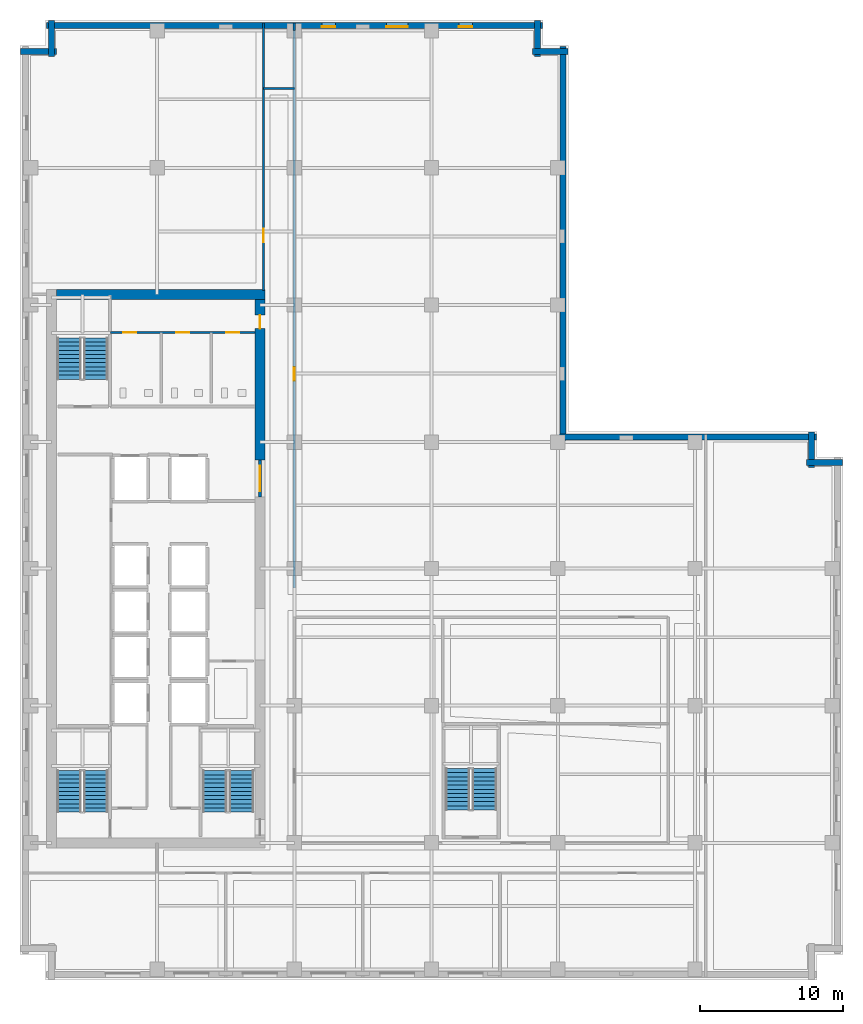
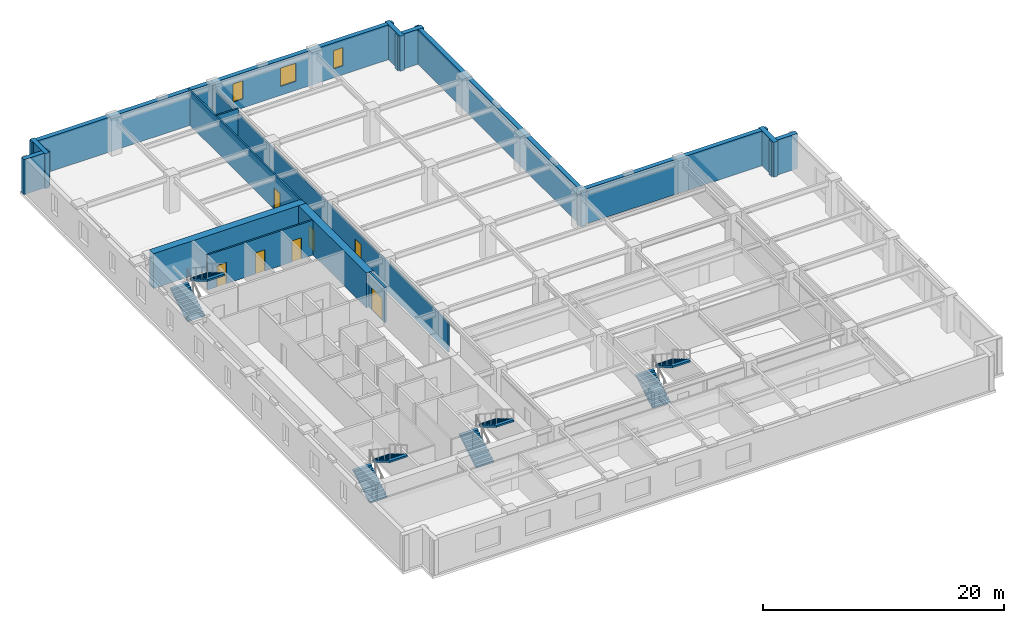
# One storey, part 6 of 11: 17 walls, 8 stair flights, 7 doors, 3 windows, 10 openings, 4 elements without a shape of their own.
"""IFC4 building model written with IfcOpenShell, lengths in metres."""

from ifc_helpers import new_model, si_unit, direction, frame, frame_2d, origin, place, context, subcontext, project, spatial, polyline, rectangle, outline, extrude, material, layer, layer_set, type_object, element, fill, aggregate, save


model = new_model("IFC4")

# Units and contexts
model_context = context("Model", 3, precision=1e-05, world=origin(), true_north=direction((0.0, 1.0)))
body_context = subcontext(model_context, "Body", "Model", "MODEL_VIEW")
ifc_project = project(units=[si_unit("LENGTHUNIT", "METRE"), si_unit("AREAUNIT", "SQUARE_METRE"), si_unit("VOLUMEUNIT", "CUBIC_METRE"), si_unit("PLANEANGLEUNIT", "RADIAN"), si_unit("MASSUNIT", "GRAM", prefix="KILO")], contexts=[model_context])

# Site, building, storey
site_placement = place(None, origin())
site = spatial("IfcSite", under=ifc_project, at=site_placement, CompositionType="ELEMENT")
building_placement = place(site_placement, origin())
building = spatial("IfcBuilding", under=site, at=building_placement, Name="Norrvale University Quadrangle", CompositionType="ELEMENT")
storey_placement = place(building_placement, frame((0.0, 0.0, 128.0)))
storey = spatial("IfcBuildingStorey", under=building, at=storey_placement, Name="L32", CompositionType="ELEMENT", Elevation=128.0)

# Walls
ifc_material_1 = material(Name="Buff Norman Clay Brick Masonry", Category="masonry")
ifc_layer_1 = layer(ifc_material_1, 0.419921875, Name="Buff Norman Clay Brick Masonry")
ifc_layer_set_1 = layer_set([ifc_layer_1], Name="Buff Norman Clay Brick Masonry")
wall_type_1 = type_object("IfcWallType", Name="Wall Buff Brick 420", PredefinedType="SOLIDWALL", material=ifc_layer_set_1)
for number, where, z_axis, x_axis, name in (
    (1, (57.56005859375, 36.2099609375, 0.0), (0.0, 0.0, 1.0), (-1.0, 0.0, 0.0), "Exterior Brick Facade Wall L32-05.1"),
    (2, (55.409912109375, 35.860107421875, 0.0), (0.0, 0.0, 1.0), (0.0, 1.0, 0.0), "Exterior Brick Facade Wall L32-06.1"),
):
    element("IfcWall", number, at=place(storey_placement, frame(where, z_axis=z_axis, x_axis=x_axis)), inside=storey, type_object=wall_type_1, Name=name, PredefinedType="SOLIDWALL", context=body_context, shape_type="SweptSolid", body=[
        extrude(rectangle(XDim=2.5, YDim=0.419921875, at=frame_2d((1.25, 0.0))), origin(), (0.0, 0.0, 1.0), 3.5400390625),
    ])
wall_1_placement = place(storey_placement, frame((55.760009765625, 38.010009765625, 0.0), z_axis=(0.0, 0.0, 1.0), x_axis=(-1.0, 0.0, 0.0)))
element("IfcWall", 3, at=wall_1_placement, inside=storey, type_object=wall_type_1, Name="Exterior Brick Facade Wall L32-07.1", PredefinedType="SOLIDWALL", context=body_context, shape_type="SweptSolid", body=[
    extrude(rectangle(XDim=18.10009765625, YDim=0.419921875, at=frame_2d((9.050048828125, 0.0))), origin(), (0.0, 0.0, 1.0), 3.5400390625),
])
wall_2_placement = place(storey_placement, frame((38.010009765625, 37.659912109375, 0.0), z_axis=(0.0, 0.0, 1.0), x_axis=(0.0, 1.0, 0.0)))
element("IfcWall", 4, at=wall_2_placement, inside=storey, type_object=wall_type_1, Name="Exterior Brick Facade Wall L32-08.1", PredefinedType="SOLIDWALL", context=body_context, shape_type="SweptSolid", body=[
    extrude(rectangle(XDim=27.7001953125, YDim=0.419921875, at=frame_2d((13.85009765625, 0.0))), origin(), (0.0, 0.0, 1.0), 3.5400390625),
])
for number, where, z_axis, x_axis, name in (
    (5, (38.360107421875, 65.010009765625, 0.0), (0.0, 0.0, 1.0), (-1.0, 0.0, 0.0), "Exterior Brick Facade Wall L32-09.1"),
    (6, (36.2099609375, 64.659912109375, 0.0), (0.0, 0.0, 1.0), (0.0, 1.0, 0.0), "Exterior Brick Facade Wall L32-10.1"),
):
    element("IfcWall", number, at=place(storey_placement, frame(where, z_axis=z_axis, x_axis=x_axis)), inside=storey, type_object=wall_type_1, Name=name, PredefinedType="SOLIDWALL", context=body_context, shape_type="SweptSolid", body=[
        extrude(rectangle(XDim=2.5, YDim=0.419921875, at=frame_2d((1.25, 0.0))), origin(), (0.0, 0.0, 1.0), 3.5400390625),
    ])

# Wall, openings, windows
wall_3_placement = place(storey_placement, frame((36.56005859375, 66.81005859375, 0.0), z_axis=(0.0, 0.0, 1.0), x_axis=(-1.0, 0.0, 0.0)))
wall_3 = element("IfcWall", 7, at=wall_3_placement, inside=storey, type_object=wall_type_1, Name="Exterior Brick Facade Wall L32-11.1", PredefinedType="SOLIDWALL", context=body_context, shape_type="SweptSolid", body=[
    extrude(rectangle(XDim=34.719970703125, YDim=0.419921875, at=frame_2d((17.35986328125, 0.0))), origin(), (0.0, 0.0, 1.0), 3.5400390625),
])
opening_1_placement = place(wall_3_placement, frame((4.885009765625, 0.0, 0.89990234375)))
opening_1 = element("IfcOpeningElement", 8, at=opening_1_placement, cuts=wall_3, Name="Opening W04", PredefinedType="OPENING", context=body_context, shape_type="SweptSolid", body=[
    extrude(rectangle(XDim=0.949951171875, YDim=1.85009765625, at=frame_2d((0.47509765625, 0.925048828125))), frame((0.0, 0.221923828125, 0.0), z_axis=(0.0, -1.0, 0.0), x_axis=(1.0, 0.0, 0.0)), (0.0, 0.0, 1.0), 0.44384765625),
])
opening_2_placement = place(wall_3_placement, frame((9.409912109375, 0.0, 0.89990234375)))
opening_2 = element("IfcOpeningElement", 9, at=opening_2_placement, cuts=wall_3, Name="Opening W03", PredefinedType="OPENING", context=body_context, shape_type="SweptSolid", body=[
    extrude(rectangle(XDim=1.5, YDim=1.85009765625, at=frame_2d((0.75, 0.925048828125))), frame((0.0, 0.221923828125, 0.0), z_axis=(0.0, -1.0, 0.0), x_axis=(1.0, 0.0, 0.0)), (0.0, 0.0, 1.0), 0.44384765625),
])
opening_3_placement = place(wall_3_placement, frame((14.485107421875, 0.0, 0.89990234375)))
opening_3 = element("IfcOpeningElement", 10, at=opening_3_placement, cuts=wall_3, Name="Opening W04", PredefinedType="OPENING", context=body_context, shape_type="SweptSolid", body=[
    extrude(rectangle(XDim=0.949951171875, YDim=1.85009765625, at=frame_2d((0.47509765625, 0.925048828125))), frame((0.0, 0.221923828125, 0.0), z_axis=(0.0, -1.0, 0.0), x_axis=(1.0, 0.0, 0.0)), (0.0, 0.0, 1.0), 0.44384765625),
])
ifc_material_2 = material(Name="Triple Low-E Argon Glazing", Category="glass")
window_type_1 = type_object("IfcWindowType", Name="Window Narrow Pier 950x2300", PartitioningType="SINGLE_PANEL", PredefinedType="WINDOW", material=ifc_material_2)
window_1_placement = place(opening_1_placement, origin())
window_1 = element("IfcWindow", 11, at=window_1_placement, inside=storey, type_object=window_type_1, Name="Window Narrow Pier 950x2300 WIN-L32-E11-1-01", OverallHeight=1.85009765625, OverallWidth=0.949951171875, PartitioningType="SINGLE_PANEL", PredefinedType="WINDOW", context=body_context, shape_type="SweptSolid", body=[
    extrude(rectangle(XDim=0.949951171875, YDim=1.85009765625, at=frame_2d((0.47509765625, 0.925048828125))), frame((0.0, 0.110107421875, 0.0), z_axis=(0.0, -1.0, 0.0), x_axis=(1.0, 0.0, 0.0)), (0.0, 0.0, 1.0), 0.06005859375),
])
fill(opening_1, window_1)
window_2_placement = place(opening_3_placement, origin())
window_2 = element("IfcWindow", 12, at=window_2_placement, inside=storey, type_object=window_type_1, Name="Window Narrow Pier 950x2300 WIN-L32-E11-1-03", OverallHeight=1.85009765625, OverallWidth=0.949951171875, PartitioningType="SINGLE_PANEL", PredefinedType="WINDOW", context=body_context, shape_type="SweptSolid", body=[
    extrude(rectangle(XDim=0.949951171875, YDim=1.85009765625, at=frame_2d((0.47509765625, 0.925048828125))), frame((0.0, 0.110107421875, 0.0), z_axis=(0.0, -1.0, 0.0), x_axis=(1.0, 0.0, 0.0)), (0.0, 0.0, 1.0), 0.06005859375),
])
fill(opening_3, window_2)
window_type_2 = type_object("IfcWindowType", Name="Window Studio 1500x2300", PartitioningType="DOUBLE_PANEL_VERTICAL", PredefinedType="WINDOW", material=ifc_material_2)
window_3_placement = place(opening_2_placement, origin())
window_3 = element("IfcWindow", 13, at=window_3_placement, inside=storey, type_object=window_type_2, Name="Window Studio 1500x2300 WIN-L32-E11-1-02", OverallHeight=1.85009765625, OverallWidth=1.5, PartitioningType="DOUBLE_PANEL_VERTICAL", PredefinedType="WINDOW", context=body_context, shape_type="SweptSolid", body=[
    extrude(rectangle(XDim=1.5, YDim=1.85009765625, at=frame_2d((0.75, 0.925048828125))), frame((0.0, 0.110107421875, 0.0), z_axis=(0.0, -1.0, 0.0), x_axis=(1.0, 0.0, 0.0)), (0.0, 0.0, 1.0), 0.06005859375),
])
fill(opening_2, window_3)

# Walls
for number, where, z_axis, x_axis, name in (
    (14, (2.18994140625, 67.159912109375, 0.0), (0.0, 0.0, 1.0), (0.0, -1.0, 0.0), "Exterior Brick Facade Wall L32-12.1"),
    (15, (2.5400390625, 65.010009765625, 0.0), (0.0, 0.0, 1.0), (-1.0, 0.0, 0.0), "Exterior Brick Facade Wall L32-13.1"),
):
    element("IfcWall", number, at=place(storey_placement, frame(where, z_axis=z_axis, x_axis=x_axis)), inside=storey, type_object=wall_type_1, Name=name, PredefinedType="SOLIDWALL", context=body_context, shape_type="SweptSolid", body=[
        extrude(rectangle(XDim=2.5, YDim=0.419921875, at=frame_2d((1.25, 0.0))), origin(), (0.0, 0.0, 1.0), 3.5400390625),
    ])
ifc_material_3 = material(Name="Concrete C60/75", Category="concrete")
ifc_layer_2 = layer(ifc_material_3, 0.699951171875, Name="Concrete C60/75")
ifc_layer_set_2 = layer_set([ifc_layer_2], Name="Concrete C60/75")
wall_type_2 = type_object("IfcWallType", Name="Wall Core 700", PredefinedType="SHEAR", material=ifc_layer_set_2)
wall_4_placement = place(storey_placement, frame((2.550048828125, 48.0, 0.0), z_axis=(0.0, 0.0, 1.0), x_axis=(1.0, 0.0, 0.0)))
element("IfcWall", 16, at=wall_4_placement, inside=storey, type_object=wall_type_2, Name="Tower Core Shear Wall L32-N", PredefinedType="SHEAR", context=body_context, shape_type="SweptSolid", body=[
    extrude(rectangle(XDim=14.599853515625, YDim=0.699951171875, at=frame_2d((7.2998046875, 0.0))), origin(), (0.0, 0.0, 1.0), 3.5400390625),
])

# Wall, opening, door
wall_5_placement = place(storey_placement, frame((16.800048828125, 36.39990234375, 0.0), z_axis=(0.0, 0.0, 1.0), x_axis=(0.0, 1.0, 0.0)))
wall_5 = element("IfcWall", 17, at=wall_5_placement, inside=storey, type_object=wall_type_2, Name="Tower Core Shear Wall L32-E3", PredefinedType="SHEAR", context=body_context, shape_type="SweptSolid", body=[
    extrude(rectangle(XDim=11.25, YDim=0.699951171875, at=frame_2d((5.625, 0.0))), origin(), (0.0, 0.0, 1.0), 3.5400390625),
])
opening_4_placement = place(wall_5_placement, frame((9.199951171875, 0.0, 0.0)))
opening_4 = element("IfcOpeningElement", 18, at=opening_4_placement, cuts=wall_5, Name="Opening D07", PredefinedType="OPENING", context=body_context, shape_type="SweptSolid", body=[
    extrude(rectangle(XDim=0.949951171875, YDim=2.14990234375, at=frame_2d((0.47509765625, 1.074951171875))), frame((0.0, 0.362060546875, 0.0), z_axis=(0.0, -1.0, 0.0), x_axis=(1.0, 0.0, 0.0)), (0.0, 0.0, 1.0), 0.723876953125),
])
ifc_material_4 = material(Name="Solid-Core Maple Door", Category="wood")
door_type_1 = type_object("IfcDoorType", Name="Door Office 950x2150", OperationType="NOTDEFINED", PredefinedType="DOOR", material=ifc_material_4)
door_1_placement = place(opening_4_placement, origin())
door_1 = element("IfcDoor", 19, at=door_1_placement, inside=storey, type_object=door_type_1, Name="Door Office 950x2150 DR-L32-NECORR", OperationType="SINGLE_SWING_LEFT", OverallHeight=2.14990234375, OverallWidth=0.949951171875, PredefinedType="DOOR", context=body_context, shape_type="SweptSolid", body=[
    extrude(rectangle(XDim=0.949951171875, YDim=2.14990234375, at=frame_2d((0.47509765625, 1.074951171875))), frame((0.0, 0.02490234375, 0.0), z_axis=(0.0, -1.0, 0.0), x_axis=(1.0, 0.0, 0.0)), (0.0, 0.0, 1.0), 0.050048828125),
])
fill(opening_4, door_1)

# Wall
ifc_material_5 = material(Name="Fire-Rated Gypsum Stud Partition")
ifc_layer_3 = layer(ifc_material_5, 0.14990234375, Name="Fire-Rated Gypsum Stud Partition")
ifc_layer_set_3 = layer_set([ifc_layer_3], Name="Fire-Rated Gypsum Stud Partition")
wall_type_3 = type_object("IfcWallType", Name="Wall Gypsum Corridor 150", PredefinedType="PARTITIONING", material=ifc_layer_set_3)
wall_6_placement = place(storey_placement, frame((17.050048828125, 62.39990234375, 0.0), z_axis=(0.0, 0.0, 1.0), x_axis=(1.0, 0.0, 0.0)))
element("IfcWall", 20, at=wall_6_placement, inside=storey, type_object=wall_type_3, Name="Interior Partition WL-L32-CN-END", PredefinedType="PARTITIONING", context=body_context, shape_type="SweptSolid", body=[
    extrude(rectangle(XDim=2.14990234375, YDim=0.14990234375, at=frame_2d((1.074951171875, 0.0))), origin(), (0.0, 0.0, 1.0), 3.5400390625),
])

# Wall, opening, door
wall_7_placement = place(storey_placement, frame((19.199951171875, 27.449951171875, 0.0), z_axis=(0.0, 0.0, 1.0), x_axis=(0.0, 1.0, 0.0)))
wall_7 = element("IfcWall", 21, at=wall_7_placement, inside=storey, type_object=wall_type_3, Name="Interior Partition WL-L32-NECW", PredefinedType="PARTITIONING", context=body_context, shape_type="SweptSolid", body=[
    extrude(rectangle(XDim=39.0, YDim=0.14990234375, at=frame_2d((19.5, 0.0))), origin(), (0.0, 0.0, 1.0), 2.99609375),
])
opening_5_placement = place(wall_7_placement, frame((14.5, 0.0, 0.0)))
opening_5 = element("IfcOpeningElement", 22, at=opening_5_placement, cuts=wall_7, Name="Opening D07", PredefinedType="OPENING", context=body_context, shape_type="SweptSolid", body=[
    extrude(rectangle(XDim=0.949951171875, YDim=2.14990234375, at=frame_2d((0.47509765625, 1.074951171875))), frame((0.0, 0.0869140625, 0.0), z_axis=(0.0, -1.0, 0.0), x_axis=(1.0, 0.0, 0.0)), (0.0, 0.0, 1.0), 0.173828125),
])
door_2_placement = place(opening_5_placement, origin())
door_2 = element("IfcDoor", 23, at=door_2_placement, inside=storey, type_object=door_type_1, Name="Door Office 950x2150 DR-L32-NE01", OperationType="SINGLE_SWING_RIGHT", OverallHeight=2.14990234375, OverallWidth=0.949951171875, PredefinedType="DOOR", context=body_context, shape_type="SweptSolid", body=[
    extrude(rectangle(XDim=0.949951171875, YDim=2.14990234375, at=frame_2d((0.47509765625, 1.074951171875))), frame((0.0, 0.02490234375, 0.0), z_axis=(0.0, -1.0, 0.0), x_axis=(1.0, 0.0, 0.0)), (0.0, 0.0, 1.0), 0.050048828125),
])
fill(opening_5, door_2)

# Wall
wall_8_placement = place(storey_placement, frame((19.199951171875, 66.449951171875, 0.0), z_axis=(0.0, 0.0, 1.0), x_axis=(0.0, 1.0, 0.0)))
element("IfcWall", 24, at=wall_8_placement, inside=storey, type_object=wall_type_3, Name="Interior Partition WL-L32-NECW-B2", PredefinedType="PARTITIONING", context=body_context, shape_type="SweptSolid", body=[
    extrude(rectangle(XDim=0.530029296875, YDim=0.14990234375, at=frame_2d((0.26513671875, 0.0))), origin(), (0.0, 0.0, 1.0), 3.5400390625),
])

# Wall, opening, door
wall_9_placement = place(storey_placement, frame((17.050048828125, 48.25, 0.0), z_axis=(0.0, 0.0, 1.0), x_axis=(0.0, 1.0, 0.0)))
wall_9 = element("IfcWall", 25, at=wall_9_placement, inside=storey, type_object=wall_type_3, Name="Interior Partition WL-L32-NWCW", PredefinedType="PARTITIONING", context=body_context, shape_type="SweptSolid", body=[
    extrude(rectangle(XDim=18.72998046875, YDim=0.14990234375, at=frame_2d((9.364990234375, 0.0))), origin(), (0.0, 0.0, 1.0), 3.5400390625),
])
opening_6_placement = place(wall_9_placement, frame((3.39990234375, 0.0, 0.0)))
opening_6 = element("IfcOpeningElement", 26, at=opening_6_placement, cuts=wall_9, Name="Opening D07", PredefinedType="OPENING", context=body_context, shape_type="SweptSolid", body=[
    extrude(rectangle(XDim=0.949951171875, YDim=2.14990234375, at=frame_2d((0.47509765625, 1.074951171875))), frame((0.0, 0.0869140625, 0.0), z_axis=(0.0, -1.0, 0.0), x_axis=(1.0, 0.0, 0.0)), (0.0, 0.0, 1.0), 0.173828125),
])
door_3_placement = place(opening_6_placement, origin())
door_3 = element("IfcDoor", 27, at=door_3_placement, inside=storey, type_object=door_type_1, Name="Door Office 950x2150 DR-L32-NW01", OperationType="SINGLE_SWING_RIGHT", OverallHeight=2.14990234375, OverallWidth=0.949951171875, PredefinedType="DOOR", context=body_context, shape_type="SweptSolid", body=[
    extrude(rectangle(XDim=0.949951171875, YDim=2.14990234375, at=frame_2d((0.47509765625, 1.074951171875))), frame((0.0, 0.02490234375, 0.0), z_axis=(0.0, -1.0, 0.0), x_axis=(1.0, 0.0, 0.0)), (0.0, 0.0, 1.0), 0.050048828125),
])
fill(opening_6, door_3)

# Wall, openings, doors
ifc_material_6 = material(Name="Sanitary Chase Gypsum Partition")
ifc_layer_4 = layer(ifc_material_6, 0.1650390625, Name="Sanitary Chase Gypsum Partition")
ifc_layer_set_4 = layer_set([ifc_layer_4], Name="Sanitary Chase Gypsum Partition")
wall_type_4 = type_object("IfcWallType", Name="Wall Gypsum Sanitary 165", PredefinedType="PLUMBINGWALL", material=ifc_layer_set_4)
wall_10_placement = place(storey_placement, frame((6.320068359375, 45.320068359375, 0.0), z_axis=(0.0, 0.0, 1.0), x_axis=(1.0, 0.0, 0.0)))
wall_10 = element("IfcWall", 28, at=wall_10_placement, inside=storey, type_object=wall_type_4, Name="Interior Partition WL-L32-WCN", PredefinedType="PLUMBINGWALL", context=body_context, shape_type="SweptSolid", body=[
    extrude(rectangle(XDim=10.1298828125, YDim=0.1650390625, at=frame_2d((5.06494140625, 0.0))), origin(), (0.0, 0.0, 1.0), 3.5400390625),
])
opening_7_placement = place(wall_10_placement, frame((0.89990234375, 0.0, 0.0)))
opening_7 = element("IfcOpeningElement", 29, at=opening_7_placement, cuts=wall_10, Name="Opening D08", PredefinedType="OPENING", context=body_context, shape_type="SweptSolid", body=[
    extrude(rectangle(XDim=0.919921875, YDim=2.14990234375, at=frame_2d((0.4599609375, 1.074951171875))), frame((0.0, 0.094482421875, 0.0), z_axis=(0.0, -1.0, 0.0), x_axis=(1.0, 0.0, 0.0)), (0.0, 0.0, 1.0), 0.18896484375),
])
opening_8_placement = place(wall_10_placement, frame((4.60009765625, 0.0, 0.0)))
opening_8 = element("IfcOpeningElement", 30, at=opening_8_placement, cuts=wall_10, Name="Opening D08", PredefinedType="OPENING", context=body_context, shape_type="SweptSolid", body=[
    extrude(rectangle(XDim=0.919921875, YDim=2.14990234375, at=frame_2d((0.4599609375, 1.074951171875))), frame((0.0, 0.094482421875, 0.0), z_axis=(0.0, -1.0, 0.0), x_axis=(1.0, 0.0, 0.0)), (0.0, 0.0, 1.0), 0.18896484375),
])
opening_9_placement = place(wall_10_placement, frame((8.10009765625, 0.0, 0.0)))
opening_9 = element("IfcOpeningElement", 31, at=opening_9_placement, cuts=wall_10, Name="Opening D08", PredefinedType="OPENING", context=body_context, shape_type="SweptSolid", body=[
    extrude(rectangle(XDim=0.919921875, YDim=2.14990234375, at=frame_2d((0.4599609375, 1.074951171875))), frame((0.0, 0.094482421875, 0.0), z_axis=(0.0, -1.0, 0.0), x_axis=(1.0, 0.0, 0.0)), (0.0, 0.0, 1.0), 0.18896484375),
])
ifc_material_7 = material(Name="Laminate Washroom Door", Category="wood")
door_type_2 = type_object("IfcDoorType", Name="Door Washroom 920x2150", OperationType="NOTDEFINED", PredefinedType="DOOR", material=ifc_material_7)
door_4_placement = place(opening_7_placement, origin())
door_4 = element("IfcDoor", 32, at=door_4_placement, inside=storey, type_object=door_type_2, Name="Door Washroom 920x2150 DR-L32-WC1", OperationType="SINGLE_SWING_LEFT", OverallHeight=2.14990234375, OverallWidth=0.919921875, PredefinedType="DOOR", context=body_context, shape_type="SweptSolid", body=[
    extrude(rectangle(XDim=0.919921875, YDim=2.14990234375, at=frame_2d((0.4599609375, 1.074951171875))), frame((0.0, 0.02490234375, 0.0), z_axis=(0.0, -1.0, 0.0), x_axis=(1.0, 0.0, 0.0)), (0.0, 0.0, 1.0), 0.050048828125),
])
fill(opening_7, door_4)
door_5_placement = place(opening_8_placement, origin())
door_5 = element("IfcDoor", 33, at=door_5_placement, inside=storey, type_object=door_type_2, Name="Door Washroom 920x2150 DR-L32-WC2", OperationType="SINGLE_SWING_RIGHT", OverallHeight=2.14990234375, OverallWidth=0.919921875, PredefinedType="DOOR", context=body_context, shape_type="SweptSolid", body=[
    extrude(rectangle(XDim=0.919921875, YDim=2.14990234375, at=frame_2d((0.4599609375, 1.074951171875))), frame((0.0, 0.02490234375, 0.0), z_axis=(0.0, -1.0, 0.0), x_axis=(1.0, 0.0, 0.0)), (0.0, 0.0, 1.0), 0.050048828125),
])
fill(opening_8, door_5)
door_6_placement = place(opening_9_placement, origin())
door_6 = element("IfcDoor", 34, at=door_6_placement, inside=storey, type_object=door_type_2, Name="Door Washroom 920x2150 DR-L32-WC3", OperationType="SINGLE_SWING_LEFT", OverallHeight=2.14990234375, OverallWidth=0.919921875, PredefinedType="DOOR", context=body_context, shape_type="SweptSolid", body=[
    extrude(rectangle(XDim=0.919921875, YDim=2.14990234375, at=frame_2d((0.4599609375, 1.074951171875))), frame((0.0, 0.02490234375, 0.0), z_axis=(0.0, -1.0, 0.0), x_axis=(1.0, 0.0, 0.0)), (0.0, 0.0, 1.0), 0.050048828125),
])
fill(opening_9, door_6)

# Wall, opening, door
ifc_material_8 = material(Name="Concrete Blockwork 20 MPa Rated Wall", Category="masonry")
ifc_layer_5 = layer(ifc_material_8, 0.199951171875, Name="Concrete Blockwork 20 MPa Rated Wall")
ifc_layer_set_5 = layer_set([ifc_layer_5], Name="Concrete Blockwork 20 MPa Rated Wall")
wall_type_5 = type_object("IfcWallType", Name="Wall Lobby 200", PredefinedType="SOLIDWALL", material=ifc_layer_set_5)
wall_11_placement = place(storey_placement, frame((16.800048828125, 33.800048828125, 0.0), z_axis=(0.0, 0.0, 1.0), x_axis=(0.0, 1.0, 0.0)))
wall_11 = element("IfcWall", 35, at=wall_11_placement, inside=storey, type_object=wall_type_5, Name="Interior Partition WL-L32-FFP", PredefinedType="SOLIDWALL", context=body_context, shape_type="SweptSolid", body=[
    extrude(rectangle(XDim=2.599853515625, YDim=0.199951171875, at=frame_2d((1.2998046875, 0.0))), origin(), (0.0, 0.0, 1.0), 3.5400390625),
])
opening_10_placement = place(wall_11_placement, frame((0.39990234375, 0.0, 0.0)))
opening_10 = element("IfcOpeningElement", 36, at=opening_10_placement, cuts=wall_11, Name="Opening D03", PredefinedType="OPENING", context=body_context, shape_type="SweptSolid", body=[
    extrude(rectangle(XDim=1.800048828125, YDim=2.199951171875, at=frame_2d((0.89990234375, 1.10009765625))), frame((0.0, 0.112060546875, 0.0), z_axis=(0.0, -1.0, 0.0), x_axis=(1.0, 0.0, 0.0)), (0.0, 0.0, 1.0), 0.223876953125),
])
ifc_material_9 = material(Name="Hollow Steel 350W Fire Door", Category="steel")
door_type_3 = type_object("IfcDoorType", Name="Door Fire Lobby 1800x2200", OperationType="DOUBLE_DOOR_SINGLE_SWING", PredefinedType="DOOR", material=ifc_material_9)
door_7_placement = place(opening_10_placement, origin())
door_7 = element("IfcDoor", 37, at=door_7_placement, inside=storey, type_object=door_type_3, Name="Door Fire Lobby 1800x2200 DR-L32-FFP", OperationType="DOUBLE_DOOR_SINGLE_SWING", OverallHeight=2.199951171875, OverallWidth=1.800048828125, PredefinedType="DOOR", context=body_context, shape_type="SweptSolid", body=[
    extrude(rectangle(XDim=1.800048828125, YDim=2.199951171875, at=frame_2d((0.89990234375, 1.10009765625))), frame((0.0, 0.02490234375, 0.0), z_axis=(0.0, -1.0, 0.0), x_axis=(1.0, 0.0, 0.0)), (0.0, 0.0, 1.0), 0.050048828125),
])
fill(opening_10, door_7)

# Stair, stair flights
ifc_material_10 = material(Name="Concrete C40/50", Category="concrete")
stair_type = type_object("IfcStairType", Name="Stair Tower Typ 3800", PredefinedType="TWO_STRAIGHT_RUN_STAIR", material=ifc_material_10)
stair_1_placement = place(storey_placement, origin())
stair_1 = element("IfcStair", 38, at=stair_1_placement, inside=storey, type_object=stair_type, Name="Exit Stair ST-01 L32", PredefinedType="TWO_STRAIGHT_RUN_STAIR")
stair_flight_type = type_object("IfcStairFlightType", Name="Flight Typ 1500", PredefinedType="STRAIGHT", material=ifc_material_10)
stair_flight_1_placement = place(storey_placement, frame((3.429931640625, 11.75, 0.0), z_axis=(0.0, 0.0, 1.0), x_axis=(0.0, 1.0, 0.0)))
stair_flight_1 = element("IfcStairFlight", 39, at=stair_flight_1_placement, type_object=stair_flight_type, Name="Exit Stair ST-01 L32 Lower Flight", NumberOfRisers=11, NumberOfTreads=10, PredefinedType="STRAIGHT", RiserHeight=0.172727, TreadLength=0.29, context=body_context, shape_type="SweptSolid", body=[
    extrude(outline(polyline([(0.0, 0.0), (0.0, 0.172607421875), (0.2900390625, 0.172607421875), (0.2900390625, 0.345458984375), (0.580078125, 0.345458984375), (0.580078125, 0.51806640625), (0.8701171875, 0.51806640625), (0.8701171875, 0.69091796875), (1.159912109375, 0.69091796875), (1.159912109375, 0.863525390625), (1.449951171875, 0.863525390625), (1.449951171875, 1.036376953125), (1.739990234375, 1.036376953125), (1.739990234375, 1.208984375), (2.030029296875, 1.208984375), (2.030029296875, 1.3818359375), (2.320068359375, 1.3818359375), (2.320068359375, 1.554443359375), (2.610107421875, 1.554443359375), (2.610107421875, 1.727294921875), (2.89990234375, 1.727294921875), (2.89990234375, 1.89990234375), (2.89990234375, 1.552734375), (0.29296875, 0.0), (0.0, 0.0)])), frame((0.0, 0.83984375, 0.0), z_axis=(0.0, -1.0, 0.0), x_axis=(1.0, 0.0, 0.0)), (0.0, 0.0, 1.0), 1.679931640625),
])
stair_flight_2_placement = place(storey_placement, frame((5.320068359375, 14.64990234375, 1.89990234375), z_axis=(0.0, 0.0, 1.0), x_axis=(0.0, -1.0, 0.0)))
stair_flight_2 = element("IfcStairFlight", 40, at=stair_flight_2_placement, type_object=stair_flight_type, Name="Exit Stair ST-01 L32 Upper Flight", NumberOfRisers=11, NumberOfTreads=10, PredefinedType="STRAIGHT", RiserHeight=0.172727, TreadLength=0.29, context=body_context, shape_type="SweptSolid", body=[
    extrude(outline(polyline([(0.0, 0.0), (0.0, 0.172607421875), (0.2900390625, 0.172607421875), (0.2900390625, 0.345458984375), (0.580078125, 0.345458984375), (0.580078125, 0.51806640625), (0.8701171875, 0.51806640625), (0.8701171875, 0.69091796875), (1.159912109375, 0.69091796875), (1.159912109375, 0.863525390625), (1.449951171875, 0.863525390625), (1.449951171875, 1.036376953125), (1.739990234375, 1.036376953125), (1.739990234375, 1.208984375), (2.030029296875, 1.208984375), (2.030029296875, 1.3818359375), (2.320068359375, 1.3818359375), (2.320068359375, 1.554443359375), (2.610107421875, 1.554443359375), (2.610107421875, 1.727294921875), (2.89990234375, 1.727294921875), (2.89990234375, 1.89990234375), (2.89990234375, 1.552734375), (0.29296875, 0.0), (0.0, 0.0)])), frame((0.0, 0.83984375, 0.0), z_axis=(0.0, -1.0, 0.0), x_axis=(1.0, 0.0, 0.0)), (0.0, 0.0, 1.0), 1.679931640625),
])
aggregate(stair_1, [stair_flight_1, stair_flight_2])

stair_2_placement = place(storey_placement, origin())
stair_2 = element("IfcStair", 41, at=stair_2_placement, inside=storey, type_object=stair_type, Name="Exit Stair ST-02 L32", PredefinedType="TWO_STRAIGHT_RUN_STAIR")
stair_flight_3_placement = place(storey_placement, frame((3.429931640625, 42.050048828125, 0.0), z_axis=(0.0, 0.0, 1.0), x_axis=(0.0, 1.0, 0.0)))
stair_flight_3 = element("IfcStairFlight", 42, at=stair_flight_3_placement, type_object=stair_flight_type, Name="Exit Stair ST-02 L32 Lower Flight", NumberOfRisers=11, NumberOfTreads=10, PredefinedType="STRAIGHT", RiserHeight=0.172727, TreadLength=0.29, context=body_context, shape_type="SweptSolid", body=[
    extrude(outline(polyline([(0.0, 0.0), (0.0, 0.172607421875), (0.2900390625, 0.172607421875), (0.2900390625, 0.345458984375), (0.580078125, 0.345458984375), (0.580078125, 0.51806640625), (0.8701171875, 0.51806640625), (0.8701171875, 0.69091796875), (1.159912109375, 0.69091796875), (1.159912109375, 0.863525390625), (1.449951171875, 0.863525390625), (1.449951171875, 1.036376953125), (1.739990234375, 1.036376953125), (1.739990234375, 1.208984375), (2.030029296875, 1.208984375), (2.030029296875, 1.3818359375), (2.320068359375, 1.3818359375), (2.320068359375, 1.554443359375), (2.610107421875, 1.554443359375), (2.610107421875, 1.727294921875), (2.89990234375, 1.727294921875), (2.89990234375, 1.89990234375), (2.89990234375, 1.552734375), (0.29296875, 0.0), (0.0, 0.0)])), frame((0.0, 0.83984375, 0.0), z_axis=(0.0, -1.0, 0.0), x_axis=(1.0, 0.0, 0.0)), (0.0, 0.0, 1.0), 1.679931640625),
])
stair_flight_4_placement = place(storey_placement, frame((5.320068359375, 44.949951171875, 1.89990234375), z_axis=(0.0, 0.0, 1.0), x_axis=(0.0, -1.0, 0.0)))
stair_flight_4 = element("IfcStairFlight", 43, at=stair_flight_4_placement, type_object=stair_flight_type, Name="Exit Stair ST-02 L32 Upper Flight", NumberOfRisers=11, NumberOfTreads=10, PredefinedType="STRAIGHT", RiserHeight=0.172727, TreadLength=0.29, context=body_context, shape_type="SweptSolid", body=[
    extrude(outline(polyline([(0.0, 0.0), (0.0, 0.172607421875), (0.2900390625, 0.172607421875), (0.2900390625, 0.345458984375), (0.580078125, 0.345458984375), (0.580078125, 0.51806640625), (0.8701171875, 0.51806640625), (0.8701171875, 0.69091796875), (1.159912109375, 0.69091796875), (1.159912109375, 0.863525390625), (1.449951171875, 0.863525390625), (1.449951171875, 1.036376953125), (1.739990234375, 1.036376953125), (1.739990234375, 1.208984375), (2.030029296875, 1.208984375), (2.030029296875, 1.3818359375), (2.320068359375, 1.3818359375), (2.320068359375, 1.554443359375), (2.610107421875, 1.554443359375), (2.610107421875, 1.727294921875), (2.89990234375, 1.727294921875), (2.89990234375, 1.89990234375), (2.89990234375, 1.552734375), (0.29296875, 0.0), (0.0, 0.0)])), frame((0.0, 0.83984375, 0.0), z_axis=(0.0, -1.0, 0.0), x_axis=(1.0, 0.0, 0.0)), (0.0, 0.0, 1.0), 1.679931640625),
])
aggregate(stair_2, [stair_flight_3, stair_flight_4])

stair_3_placement = place(storey_placement, origin())
stair_3 = element("IfcStair", 44, at=stair_3_placement, inside=storey, type_object=stair_type, Name="Exit Stair ST-03 L32", PredefinedType="TWO_STRAIGHT_RUN_STAIR")
stair_flight_5_placement = place(storey_placement, frame((13.6298828125, 11.75, 0.0), z_axis=(0.0, 0.0, 1.0), x_axis=(0.0, 1.0, 0.0)))
stair_flight_5 = element("IfcStairFlight", 45, at=stair_flight_5_placement, type_object=stair_flight_type, Name="Exit Stair ST-03 L32 Lower Flight", NumberOfRisers=11, NumberOfTreads=10, PredefinedType="STRAIGHT", RiserHeight=0.172727, TreadLength=0.29, context=body_context, shape_type="SweptSolid", body=[
    extrude(outline(polyline([(0.0, 0.0), (0.0, 0.172607421875), (0.2900390625, 0.172607421875), (0.2900390625, 0.345458984375), (0.580078125, 0.345458984375), (0.580078125, 0.51806640625), (0.8701171875, 0.51806640625), (0.8701171875, 0.69091796875), (1.159912109375, 0.69091796875), (1.159912109375, 0.863525390625), (1.449951171875, 0.863525390625), (1.449951171875, 1.036376953125), (1.739990234375, 1.036376953125), (1.739990234375, 1.208984375), (2.030029296875, 1.208984375), (2.030029296875, 1.3818359375), (2.320068359375, 1.3818359375), (2.320068359375, 1.554443359375), (2.610107421875, 1.554443359375), (2.610107421875, 1.727294921875), (2.89990234375, 1.727294921875), (2.89990234375, 1.89990234375), (2.89990234375, 1.552734375), (0.29296875, 0.0), (0.0, 0.0)])), frame((0.0, 0.83984375, 0.0), z_axis=(0.0, -1.0, 0.0), x_axis=(1.0, 0.0, 0.0)), (0.0, 0.0, 1.0), 1.679931640625),
])
stair_flight_6_placement = place(storey_placement, frame((15.52001953125, 14.64990234375, 1.89990234375), z_axis=(0.0, 0.0, 1.0), x_axis=(0.0, -1.0, 0.0)))
stair_flight_6 = element("IfcStairFlight", 46, at=stair_flight_6_placement, type_object=stair_flight_type, Name="Exit Stair ST-03 L32 Upper Flight", NumberOfRisers=11, NumberOfTreads=10, PredefinedType="STRAIGHT", RiserHeight=0.172727, TreadLength=0.29, context=body_context, shape_type="SweptSolid", body=[
    extrude(outline(polyline([(0.0, 0.0), (0.0, 0.172607421875), (0.2900390625, 0.172607421875), (0.2900390625, 0.345458984375), (0.580078125, 0.345458984375), (0.580078125, 0.51806640625), (0.8701171875, 0.51806640625), (0.8701171875, 0.69091796875), (1.159912109375, 0.69091796875), (1.159912109375, 0.863525390625), (1.449951171875, 0.863525390625), (1.449951171875, 1.036376953125), (1.739990234375, 1.036376953125), (1.739990234375, 1.208984375), (2.030029296875, 1.208984375), (2.030029296875, 1.3818359375), (2.320068359375, 1.3818359375), (2.320068359375, 1.554443359375), (2.610107421875, 1.554443359375), (2.610107421875, 1.727294921875), (2.89990234375, 1.727294921875), (2.89990234375, 1.89990234375), (2.89990234375, 1.552734375), (0.29296875, 0.0), (0.0, 0.0)])), frame((0.0, 0.83984375, 0.0), z_axis=(0.0, -1.0, 0.0), x_axis=(1.0, 0.0, 0.0)), (0.0, 0.0, 1.0), 1.679931640625),
])
aggregate(stair_3, [stair_flight_5, stair_flight_6])

stair_4_placement = place(storey_placement, origin())
stair_4 = element("IfcStair", 47, at=stair_4_placement, inside=storey, type_object=stair_type, Name="Exit Stair ST-04 L32", PredefinedType="TWO_STRAIGHT_RUN_STAIR")
stair_flight_7_placement = place(storey_placement, frame((30.6298828125, 11.89990234375, 0.0), z_axis=(0.0, 0.0, 1.0), x_axis=(0.0, 1.0, 0.0)))
stair_flight_7 = element("IfcStairFlight", 48, at=stair_flight_7_placement, type_object=stair_flight_type, Name="Exit Stair ST-04 L32 Lower Flight", NumberOfRisers=11, NumberOfTreads=10, PredefinedType="STRAIGHT", RiserHeight=0.172727, TreadLength=0.29, context=body_context, shape_type="SweptSolid", body=[
    extrude(outline(polyline([(0.0, 0.0), (0.0, 0.172607421875), (0.2900390625, 0.172607421875), (0.2900390625, 0.345458984375), (0.580078125, 0.345458984375), (0.580078125, 0.51806640625), (0.8701171875, 0.51806640625), (0.8701171875, 0.69091796875), (1.159912109375, 0.69091796875), (1.159912109375, 0.863525390625), (1.449951171875, 0.863525390625), (1.449951171875, 1.036376953125), (1.739990234375, 1.036376953125), (1.739990234375, 1.208984375), (2.030029296875, 1.208984375), (2.030029296875, 1.3818359375), (2.320068359375, 1.3818359375), (2.320068359375, 1.554443359375), (2.610107421875, 1.554443359375), (2.610107421875, 1.727294921875), (2.89990234375, 1.727294921875), (2.89990234375, 1.89990234375), (2.89990234375, 1.552734375), (0.29296875, 0.0), (0.0, 0.0)])), frame((0.0, 0.83984375, 0.0), z_axis=(0.0, -1.0, 0.0), x_axis=(1.0, 0.0, 0.0)), (0.0, 0.0, 1.0), 1.679931640625),
])
stair_flight_8_placement = place(storey_placement, frame((32.52001953125, 14.800048828125, 1.89990234375), z_axis=(0.0, 0.0, 1.0), x_axis=(0.0, -1.0, 0.0)))
stair_flight_8 = element("IfcStairFlight", 49, at=stair_flight_8_placement, type_object=stair_flight_type, Name="Exit Stair ST-04 L32 Upper Flight", NumberOfRisers=11, NumberOfTreads=10, PredefinedType="STRAIGHT", RiserHeight=0.172727, TreadLength=0.29, context=body_context, shape_type="SweptSolid", body=[
    extrude(outline(polyline([(0.0, 0.0), (0.0, 0.172607421875), (0.2900390625, 0.172607421875), (0.2900390625, 0.345458984375), (0.580078125, 0.345458984375), (0.580078125, 0.51806640625), (0.8701171875, 0.51806640625), (0.8701171875, 0.69091796875), (1.159912109375, 0.69091796875), (1.159912109375, 0.863525390625), (1.449951171875, 0.863525390625), (1.449951171875, 1.036376953125), (1.739990234375, 1.036376953125), (1.739990234375, 1.208984375), (2.030029296875, 1.208984375), (2.030029296875, 1.3818359375), (2.320068359375, 1.3818359375), (2.320068359375, 1.554443359375), (2.610107421875, 1.554443359375), (2.610107421875, 1.727294921875), (2.89990234375, 1.727294921875), (2.89990234375, 1.89990234375), (2.89990234375, 1.552734375), (0.29296875, 0.0), (0.0, 0.0)])), frame((0.0, 0.83984375, 0.0), z_axis=(0.0, -1.0, 0.0), x_axis=(1.0, 0.0, 0.0)), (0.0, 0.0, 1.0), 1.679931640625),
])
aggregate(stair_4, [stair_flight_7, stair_flight_8])

save(model, "model.ifc")
